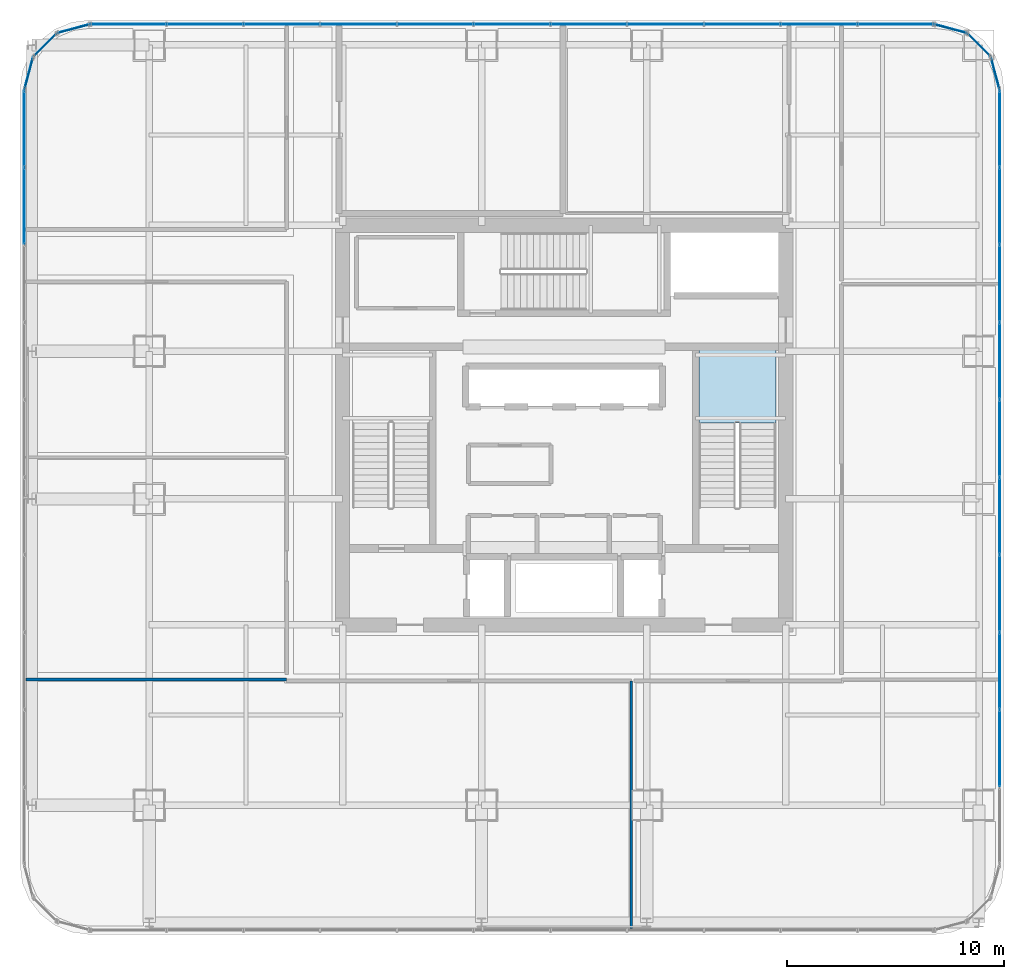
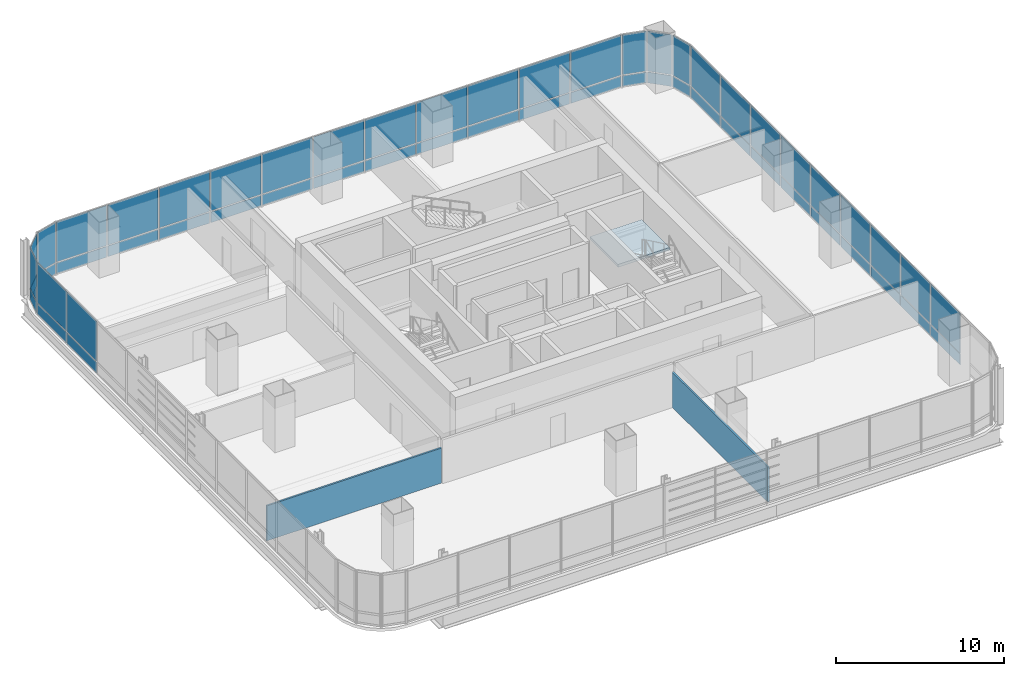
# One storey, part 28 of 36: 56 plates, 2 walls, 1 slab, 10 elements without a shape of their own.
"""IFC4 building model written with IfcOpenShell, lengths in metres."""

from ifc_helpers import new_model, si_unit, direction, frame, frame_2d, origin, origin_2d, place, context, subcontext, project, spatial, polyline, rectangle, outline, extrude, material, layer, layer_set, type_object, element, aggregate, save


model = new_model("IFC4")

# Units and contexts
model_context = context("Model", 3, precision=1e-05, world=origin(), true_north=direction((0.0, 1.0)))
body_context = subcontext(model_context, "Body", "Model", "MODEL_VIEW")
ifc_project = project(units=[si_unit("LENGTHUNIT", "METRE"), si_unit("AREAUNIT", "SQUARE_METRE"), si_unit("VOLUMEUNIT", "CUBIC_METRE"), si_unit("PLANEANGLEUNIT", "RADIAN"), si_unit("MASSUNIT", "GRAM", prefix="KILO")], contexts=[model_context])

# Site, building, storey
site_placement = place(None, origin())
site = spatial("IfcSite", under=ifc_project, at=site_placement, CompositionType="ELEMENT")
building_placement = place(site_placement, origin())
building = spatial("IfcBuilding", under=site, at=building_placement, Name="Punatoya Terracotta Tower", CompositionType="ELEMENT")
storey_placement = place(building_placement, frame((0.0, 0.0, 176.25)))
storey = spatial("IfcBuildingStorey", under=building, at=storey_placement, Name="L41", CompositionType="ELEMENT", Elevation=176.25)

# Curtain wall, plates
ifc_material_1 = material(Name="Aluminium 6063-T6 + Double Low-E Glass", Category="aluminium")
curtain_wall_type = type_object("IfcCurtainWallType", Name="CW-M2", PredefinedType="NOTDEFINED", material=ifc_material_1)
curtain_wall_1_placement = place(storey_placement, origin())
curtain_wall_1 = element("IfcCurtainWall", 1, at=curtain_wall_1_placement, inside=storey, type_object=curtain_wall_type, Name="L41 Curtain Wall CW-L41-E05-1", PredefinedType="NOTDEFINED")
ifc_material_2 = material(Name="Double Low-E Acoustic Vision Glass", Category="glass")
ifc_layer_1 = layer(ifc_material_2, 0.031982421875)
ifc_layer_set_1 = layer_set([ifc_layer_1], Name="Double Low-E Acoustic Vision Glass")
plate_type_1 = type_object("IfcPlateType", Name="PLT-GLZ-32", PredefinedType="CURTAIN_PANEL", material=ifc_layer_set_1)
plate_1_placement = place(storey_placement, frame((20.050048828125, -14.8857421875, 0.89013671875), z_axis=(0.0, 0.0, 1.0), x_axis=(0.0, 1.0, 0.0)))
plate_1 = element("IfcPlate", 2, at=plate_1_placement, type_object=plate_type_1, Name="CW-L41-E05-1 Vision Glass Panel 2", PredefinedType="CURTAIN_PANEL", context=body_context, shape_type="SweptSolid", body=[
    extrude(rectangle(XDim=3.482421875, YDim=0.031982421875, at=origin_2d()), origin(), (0.0, 0.0, 1.0), 2.89990234375),
])
plate_2_placement = place(storey_placement, frame((20.050048828125, -11.318359375, 0.89013671875), z_axis=(0.0, 0.0, 1.0), x_axis=(0.0, 1.0, 0.0)))
plate_2 = element("IfcPlate", 3, at=plate_2_placement, type_object=plate_type_1, Name="CW-L41-E05-1 Vision Glass Panel 3", PredefinedType="CURTAIN_PANEL", context=body_context, shape_type="SweptSolid", body=[
    extrude(rectangle(XDim=3.482421875, YDim=0.031982421875, at=origin_2d()), origin(), (0.0, 0.0, 1.0), 2.89990234375),
])
plate_3_placement = place(storey_placement, frame((20.050048828125, -7.751220703125, 0.89013671875), z_axis=(0.0, 0.0, 1.0), x_axis=(0.0, 1.0, 0.0)))
plate_3 = element("IfcPlate", 4, at=plate_3_placement, type_object=plate_type_1, Name="CW-L41-E05-1 Vision Glass Panel 4", PredefinedType="CURTAIN_PANEL", context=body_context, shape_type="SweptSolid", body=[
    extrude(rectangle(XDim=3.482421875, YDim=0.031982421875, at=origin_2d()), origin(), (0.0, 0.0, 1.0), 2.89990234375),
])
plate_4_placement = place(storey_placement, frame((20.050048828125, -4.18359375, 0.89013671875), z_axis=(0.0, 0.0, 1.0), x_axis=(0.0, 1.0, 0.0)))
plate_4 = element("IfcPlate", 5, at=plate_4_placement, type_object=plate_type_1, Name="CW-L41-E05-1 Vision Glass Panel 5", PredefinedType="CURTAIN_PANEL", context=body_context, shape_type="SweptSolid", body=[
    extrude(rectangle(XDim=3.482421875, YDim=0.031982421875, at=origin_2d()), origin(), (0.0, 0.0, 1.0), 2.89990234375),
])
plate_5_placement = place(storey_placement, frame((20.050048828125, -0.6162109375, 0.89013671875), z_axis=(0.0, 0.0, 1.0), x_axis=(0.0, 1.0, 0.0)))
plate_5 = element("IfcPlate", 6, at=plate_5_placement, type_object=plate_type_1, Name="CW-L41-E05-1 Vision Glass Panel 6", PredefinedType="CURTAIN_PANEL", context=body_context, shape_type="SweptSolid", body=[
    extrude(rectangle(XDim=3.482421875, YDim=0.031982421875, at=origin_2d()), origin(), (0.0, 0.0, 1.0), 2.89990234375),
])
plate_6_placement = place(storey_placement, frame((20.050048828125, 2.951171875, 0.89013671875), z_axis=(0.0, 0.0, 1.0), x_axis=(0.0, 1.0, 0.0)))
plate_6 = element("IfcPlate", 7, at=plate_6_placement, type_object=plate_type_1, Name="CW-L41-E05-1 Vision Glass Panel 7", PredefinedType="CURTAIN_PANEL", context=body_context, shape_type="SweptSolid", body=[
    extrude(rectangle(XDim=3.482421875, YDim=0.031982421875, at=origin_2d()), origin(), (0.0, 0.0, 1.0), 2.89990234375),
])
plate_7_placement = place(storey_placement, frame((20.050048828125, 6.518310546875, 0.89013671875), z_axis=(0.0, 0.0, 1.0), x_axis=(0.0, 1.0, 0.0)))
plate_7 = element("IfcPlate", 8, at=plate_7_placement, type_object=plate_type_1, Name="CW-L41-E05-1 Vision Glass Panel 8", PredefinedType="CURTAIN_PANEL", context=body_context, shape_type="SweptSolid", body=[
    extrude(rectangle(XDim=3.482421875, YDim=0.031982421875, at=origin_2d()), origin(), (0.0, 0.0, 1.0), 2.89990234375),
])
plate_8_placement = place(storey_placement, frame((20.050048828125, 10.085693359375, 0.89013671875), z_axis=(0.0, 0.0, 1.0), x_axis=(0.0, 1.0, 0.0)))
plate_8 = element("IfcPlate", 9, at=plate_8_placement, type_object=plate_type_1, Name="CW-L41-E05-1 Vision Glass Panel 9", PredefinedType="CURTAIN_PANEL", context=body_context, shape_type="SweptSolid", body=[
    extrude(rectangle(XDim=3.482421875, YDim=0.031982421875, at=origin_2d()), origin(), (0.0, 0.0, 1.0), 2.89990234375),
])
plate_9_placement = place(storey_placement, frame((20.050048828125, 13.6533203125, 0.89013671875), z_axis=(0.0, 0.0, 1.0), x_axis=(0.0, 1.0, 0.0)))
plate_9 = element("IfcPlate", 10, at=plate_9_placement, type_object=plate_type_1, Name="CW-L41-E05-1 Vision Glass Panel 10", PredefinedType="CURTAIN_PANEL", context=body_context, shape_type="SweptSolid", body=[
    extrude(rectangle(XDim=3.482421875, YDim=0.031982421875, at=origin_2d()), origin(), (0.0, 0.0, 1.0), 2.89990234375),
])

# Curtain wall, plate
curtain_wall_2_placement = place(storey_placement, origin())
curtain_wall_2 = element("IfcCurtainWall", 11, at=curtain_wall_2_placement, inside=storey, type_object=curtain_wall_type, Name="L41 Curtain Wall CW-L41-CRN06", PredefinedType="NOTDEFINED")
plate_10_placement = place(storey_placement, frame((19.848388671875, 16.193115234375, 0.89013671875), z_axis=(0.0, 0.0, 1.0), x_axis=(-0.257741620719, 0.966213877436, 0.0)))
plate_10 = element("IfcPlate", 12, at=plate_10_placement, type_object=plate_type_1, Name="CW-L41-CRN06 Vision Glass Panel 1", PredefinedType="CURTAIN_PANEL", context=body_context, shape_type="SweptSolid", body=[
    extrude(rectangle(XDim=1.47998046875, YDim=0.031982421875, at=origin_2d()), origin(), (0.0, 0.0, 1.0), 2.89990234375),
])

curtain_wall_3_placement = place(storey_placement, origin())
curtain_wall_3 = element("IfcCurtainWall", 13, at=curtain_wall_3_placement, inside=storey, type_object=curtain_wall_type, Name="L41 Curtain Wall CW-L41-CRN07", PredefinedType="NOTDEFINED")
plate_11_placement = place(storey_placement, frame((19.097900390625, 17.497802734375, 0.89013671875), z_axis=(0.0, 0.0, 1.0), x_axis=(-0.707106781187, 0.707106781187, 0.0)))
plate_11 = element("IfcPlate", 14, at=plate_11_placement, type_object=plate_type_1, Name="CW-L41-CRN07 Vision Glass Panel 1", PredefinedType="CURTAIN_PANEL", context=body_context, shape_type="SweptSolid", body=[
    extrude(rectangle(XDim=1.467041015625, YDim=0.031982421875, at=origin_2d()), origin(), (0.0, 0.0, 1.0), 2.89990234375),
])

curtain_wall_4_placement = place(storey_placement, origin())
curtain_wall_4 = element("IfcCurtainWall", 15, at=curtain_wall_4_placement, inside=storey, type_object=curtain_wall_type, Name="L41 Curtain Wall CW-L41-CRN08", PredefinedType="NOTDEFINED")
plate_12_placement = place(storey_placement, frame((17.79296875, 18.248291015625, 0.89013671875), z_axis=(0.0, 0.0, 1.0), x_axis=(-0.966213877436, 0.257741620719, 0.0)))
plate_12 = element("IfcPlate", 16, at=plate_12_placement, type_object=plate_type_1, Name="CW-L41-CRN08 Vision Glass Panel 1", PredefinedType="CURTAIN_PANEL", context=body_context, shape_type="SweptSolid", body=[
    extrude(rectangle(XDim=1.47998046875, YDim=0.031982421875, at=origin_2d()), origin(), (0.0, 0.0, 1.0), 2.89990234375),
])

# Curtain wall, plates
curtain_wall_5_placement = place(storey_placement, origin())
curtain_wall_5 = element("IfcCurtainWall", 17, at=curtain_wall_5_placement, inside=storey, type_object=curtain_wall_type, Name="L41 Curtain Wall CW-L41-N09-1", PredefinedType="NOTDEFINED")
plate_13_placement = place(storey_placement, frame((15.27001953125, 18.449951171875, 0.89013671875), z_axis=(0.0, 0.0, 1.0), x_axis=(-1.0, 0.0, 0.0)))
plate_13 = element("IfcPlate", 18, at=plate_13_placement, type_object=plate_type_1, Name="CW-L41-N09-1 Vision Glass Panel 1", PredefinedType="CURTAIN_PANEL", context=body_context, shape_type="SweptSolid", body=[
    extrude(rectangle(XDim=3.448974609375, YDim=0.031982421875, at=origin_2d()), origin(), (0.0, 0.0, 1.0), 2.89990234375),
])
plate_14_placement = place(storey_placement, frame((11.73583984375, 18.449951171875, 0.89013671875), z_axis=(0.0, 0.0, 1.0), x_axis=(-1.0, 0.0, 0.0)))
plate_14 = element("IfcPlate", 19, at=plate_14_placement, type_object=plate_type_1, Name="CW-L41-N09-1 Vision Glass Panel 2", PredefinedType="CURTAIN_PANEL", context=body_context, shape_type="SweptSolid", body=[
    extrude(rectangle(XDim=3.448974609375, YDim=0.031982421875, at=origin_2d()), origin(), (0.0, 0.0, 1.0), 2.89990234375),
])
plate_15_placement = place(storey_placement, frame((8.201904296875, 18.449951171875, 0.89013671875), z_axis=(0.0, 0.0, 1.0), x_axis=(-1.0, 0.0, 0.0)))
plate_15 = element("IfcPlate", 20, at=plate_15_placement, type_object=plate_type_1, Name="CW-L41-N09-1 Vision Glass Panel 3", PredefinedType="CURTAIN_PANEL", context=body_context, shape_type="SweptSolid", body=[
    extrude(rectangle(XDim=3.448974609375, YDim=0.031982421875, at=origin_2d()), origin(), (0.0, 0.0, 1.0), 2.89990234375),
])
plate_16_placement = place(storey_placement, frame((4.66796875, 18.449951171875, 0.89013671875), z_axis=(0.0, 0.0, 1.0), x_axis=(-1.0, 0.0, 0.0)))
plate_16 = element("IfcPlate", 21, at=plate_16_placement, type_object=plate_type_1, Name="CW-L41-N09-1 Vision Glass Panel 4", PredefinedType="CURTAIN_PANEL", context=body_context, shape_type="SweptSolid", body=[
    extrude(rectangle(XDim=3.448974609375, YDim=0.031982421875, at=origin_2d()), origin(), (0.0, 0.0, 1.0), 2.89990234375),
])
plate_17_placement = place(storey_placement, frame((1.134033203125, 18.449951171875, 0.89013671875), z_axis=(0.0, 0.0, 1.0), x_axis=(-1.0, 0.0, 0.0)))
plate_17 = element("IfcPlate", 22, at=plate_17_placement, type_object=plate_type_1, Name="CW-L41-N09-1 Vision Glass Panel 5", PredefinedType="CURTAIN_PANEL", context=body_context, shape_type="SweptSolid", body=[
    extrude(rectangle(XDim=3.448974609375, YDim=0.031982421875, at=origin_2d()), origin(), (0.0, 0.0, 1.0), 2.89990234375),
])
plate_18_placement = place(storey_placement, frame((-2.39990234375, 18.449951171875, 0.89013671875), z_axis=(0.0, 0.0, 1.0), x_axis=(-1.0, 0.0, 0.0)))
plate_18 = element("IfcPlate", 23, at=plate_18_placement, type_object=plate_type_1, Name="CW-L41-N09-1 Vision Glass Panel 6", PredefinedType="CURTAIN_PANEL", context=body_context, shape_type="SweptSolid", body=[
    extrude(rectangle(XDim=3.448974609375, YDim=0.031982421875, at=origin_2d()), origin(), (0.0, 0.0, 1.0), 2.89990234375),
])
plate_19_placement = place(storey_placement, frame((-5.93408203125, 18.449951171875, 0.89013671875), z_axis=(0.0, 0.0, 1.0), x_axis=(-1.0, 0.0, 0.0)))
plate_19 = element("IfcPlate", 24, at=plate_19_placement, type_object=plate_type_1, Name="CW-L41-N09-1 Vision Glass Panel 7", PredefinedType="CURTAIN_PANEL", context=body_context, shape_type="SweptSolid", body=[
    extrude(rectangle(XDim=3.448974609375, YDim=0.031982421875, at=origin_2d()), origin(), (0.0, 0.0, 1.0), 2.89990234375),
])
plate_20_placement = place(storey_placement, frame((-9.468017578125, 18.449951171875, 0.89013671875), z_axis=(0.0, 0.0, 1.0), x_axis=(-1.0, 0.0, 0.0)))
plate_20 = element("IfcPlate", 25, at=plate_20_placement, type_object=plate_type_1, Name="CW-L41-N09-1 Vision Glass Panel 8", PredefinedType="CURTAIN_PANEL", context=body_context, shape_type="SweptSolid", body=[
    extrude(rectangle(XDim=3.448974609375, YDim=0.031982421875, at=origin_2d()), origin(), (0.0, 0.0, 1.0), 2.89990234375),
])
plate_21_placement = place(storey_placement, frame((-13.001953125, 18.449951171875, 0.89013671875), z_axis=(0.0, 0.0, 1.0), x_axis=(-1.0, 0.0, 0.0)))
plate_21 = element("IfcPlate", 26, at=plate_21_placement, type_object=plate_type_1, Name="CW-L41-N09-1 Vision Glass Panel 9", PredefinedType="CURTAIN_PANEL", context=body_context, shape_type="SweptSolid", body=[
    extrude(rectangle(XDim=3.448974609375, YDim=0.031982421875, at=origin_2d()), origin(), (0.0, 0.0, 1.0), 2.89990234375),
])
plate_22_placement = place(storey_placement, frame((-16.535888671875, 18.449951171875, 0.89013671875), z_axis=(0.0, 0.0, 1.0), x_axis=(-1.0, 0.0, 0.0)))
plate_22 = element("IfcPlate", 27, at=plate_22_placement, type_object=plate_type_1, Name="CW-L41-N09-1 Vision Glass Panel 10", PredefinedType="CURTAIN_PANEL", context=body_context, shape_type="SweptSolid", body=[
    extrude(rectangle(XDim=3.448974609375, YDim=0.031982421875, at=origin_2d()), origin(), (0.0, 0.0, 1.0), 2.89990234375),
])
plate_23_placement = place(storey_placement, frame((-20.06982421875, 18.449951171875, 0.89013671875), z_axis=(0.0, 0.0, 1.0), x_axis=(-1.0, 0.0, 0.0)))
plate_23 = element("IfcPlate", 28, at=plate_23_placement, type_object=plate_type_1, Name="CW-L41-N09-1 Vision Glass Panel 11", PredefinedType="CURTAIN_PANEL", context=body_context, shape_type="SweptSolid", body=[
    extrude(rectangle(XDim=3.448974609375, YDim=0.031982421875, at=origin_2d()), origin(), (0.0, 0.0, 1.0), 2.89990234375),
])

# Curtain wall, plate
curtain_wall_6_placement = place(storey_placement, origin())
curtain_wall_6 = element("IfcCurtainWall", 29, at=curtain_wall_6_placement, inside=storey, type_object=curtain_wall_type, Name="L41 Curtain Wall CW-L41-CRN10", PredefinedType="NOTDEFINED")
plate_24_placement = place(storey_placement, frame((-22.593017578125, 18.248291015625, 0.89013671875), z_axis=(0.0, 0.0, 1.0), x_axis=(-0.966213877436, -0.257741620719, 0.0)))
plate_24 = element("IfcPlate", 30, at=plate_24_placement, type_object=plate_type_1, Name="CW-L41-CRN10 Vision Glass Panel 1", PredefinedType="CURTAIN_PANEL", context=body_context, shape_type="SweptSolid", body=[
    extrude(rectangle(XDim=1.47998046875, YDim=0.031982421875, at=origin_2d()), origin(), (0.0, 0.0, 1.0), 2.89990234375),
])

curtain_wall_7_placement = place(storey_placement, origin())
curtain_wall_7 = element("IfcCurtainWall", 31, at=curtain_wall_7_placement, inside=storey, type_object=curtain_wall_type, Name="L41 Curtain Wall CW-L41-CRN11", PredefinedType="NOTDEFINED")
plate_25_placement = place(storey_placement, frame((-23.89794921875, 17.497802734375, 0.89013671875), z_axis=(0.0, 0.0, 1.0), x_axis=(-0.707106781187, -0.707106781187, 0.0)))
plate_25 = element("IfcPlate", 32, at=plate_25_placement, type_object=plate_type_1, Name="CW-L41-CRN11 Vision Glass Panel 1", PredefinedType="CURTAIN_PANEL", context=body_context, shape_type="SweptSolid", body=[
    extrude(rectangle(XDim=1.467041015625, YDim=0.031982421875, at=origin_2d()), origin(), (0.0, 0.0, 1.0), 2.89990234375),
])

curtain_wall_8_placement = place(storey_placement, origin())
curtain_wall_8 = element("IfcCurtainWall", 33, at=curtain_wall_8_placement, inside=storey, type_object=curtain_wall_type, Name="L41 Curtain Wall CW-L41-CRN12", PredefinedType="NOTDEFINED")
plate_26_placement = place(storey_placement, frame((-24.648193359375, 16.193115234375, 0.89013671875), z_axis=(0.0, 0.0, 1.0), x_axis=(-0.257741620719, -0.966213877436, 0.0)))
plate_26 = element("IfcPlate", 34, at=plate_26_placement, type_object=plate_type_1, Name="CW-L41-CRN12 Vision Glass Panel 1", PredefinedType="CURTAIN_PANEL", context=body_context, shape_type="SweptSolid", body=[
    extrude(rectangle(XDim=1.47998046875, YDim=0.031982421875, at=origin_2d()), origin(), (0.0, 0.0, 1.0), 2.89990234375),
])

# Curtain wall, plates
curtain_wall_9_placement = place(storey_placement, origin())
curtain_wall_9 = element("IfcCurtainWall", 35, at=curtain_wall_9_placement, inside=storey, type_object=curtain_wall_type, Name="L41 Curtain Wall CW-L41-W13-1", PredefinedType="NOTDEFINED")
plate_27_placement = place(storey_placement, frame((-24.85009765625, 13.6533203125, 0.89013671875), z_axis=(0.0, 0.0, 1.0), x_axis=(0.0, -1.0, 0.0)))
plate_27 = element("IfcPlate", 36, at=plate_27_placement, type_object=plate_type_1, Name="CW-L41-W13-1 Vision Glass Panel 1", PredefinedType="CURTAIN_PANEL", context=body_context, shape_type="SweptSolid", body=[
    extrude(rectangle(XDim=3.482421875, YDim=0.031982421875, at=origin_2d()), origin(), (0.0, 0.0, 1.0), 2.89990234375),
])
plate_28_placement = place(storey_placement, frame((-24.85009765625, 10.085693359375, 0.89013671875), z_axis=(0.0, 0.0, 1.0), x_axis=(0.0, -1.0, 0.0)))
plate_28 = element("IfcPlate", 37, at=plate_28_placement, type_object=plate_type_1, Name="CW-L41-W13-1 Vision Glass Panel 2", PredefinedType="CURTAIN_PANEL", context=body_context, shape_type="SweptSolid", body=[
    extrude(rectangle(XDim=3.482421875, YDim=0.031982421875, at=origin_2d()), origin(), (0.0, 0.0, 1.0), 2.89990234375),
])

# Plate
ifc_material_3 = material(Name="Insulated Terracotta-Backed Spandrel Panel", Category="masonry")
ifc_layer_2 = layer(ifc_material_3, 0.044921875)
ifc_layer_set_2 = layer_set([ifc_layer_2], Name="Insulated Terracotta-Backed Spandrel Panel")
plate_type_2 = type_object("IfcPlateType", Name="PLT-SPN-45", PredefinedType="CURTAIN_PANEL", material=ifc_layer_set_2)
plate_29_placement = place(storey_placement, frame((20.050048828125, -14.8857421875, 0.0400390625), z_axis=(0.0, 0.0, 1.0), x_axis=(0.0, 1.0, 0.0)))
plate_29 = element("IfcPlate", 38, at=plate_29_placement, type_object=plate_type_2, Name="CW-L41-E05-1 Terracotta Spandrel Panel 2", PredefinedType="CURTAIN_PANEL", context=body_context, shape_type="SweptSolid", body=[
    extrude(rectangle(XDim=3.482421875, YDim=0.044921875, at=origin_2d()), origin(), (0.0, 0.0, 1.0), 0.77490234375),
])

plate_30_placement = place(storey_placement, frame((20.050048828125, -11.318359375, 0.0400390625), z_axis=(0.0, 0.0, 1.0), x_axis=(0.0, 1.0, 0.0)))
plate_30 = element("IfcPlate", 39, at=plate_30_placement, type_object=plate_type_2, Name="CW-L41-E05-1 Terracotta Spandrel Panel 3", PredefinedType="CURTAIN_PANEL", context=body_context, shape_type="SweptSolid", body=[
    extrude(rectangle(XDim=3.482421875, YDim=0.044921875, at=origin_2d()), origin(), (0.0, 0.0, 1.0), 0.77490234375),
])

plate_31_placement = place(storey_placement, frame((20.050048828125, -7.751220703125, 0.0400390625), z_axis=(0.0, 0.0, 1.0), x_axis=(0.0, 1.0, 0.0)))
plate_31 = element("IfcPlate", 40, at=plate_31_placement, type_object=plate_type_2, Name="CW-L41-E05-1 Terracotta Spandrel Panel 4", PredefinedType="CURTAIN_PANEL", context=body_context, shape_type="SweptSolid", body=[
    extrude(rectangle(XDim=3.482421875, YDim=0.044921875, at=origin_2d()), origin(), (0.0, 0.0, 1.0), 0.77490234375),
])

plate_32_placement = place(storey_placement, frame((20.050048828125, -4.18359375, 0.0400390625), z_axis=(0.0, 0.0, 1.0), x_axis=(0.0, 1.0, 0.0)))
plate_32 = element("IfcPlate", 41, at=plate_32_placement, type_object=plate_type_2, Name="CW-L41-E05-1 Terracotta Spandrel Panel 5", PredefinedType="CURTAIN_PANEL", context=body_context, shape_type="SweptSolid", body=[
    extrude(rectangle(XDim=3.482421875, YDim=0.044921875, at=origin_2d()), origin(), (0.0, 0.0, 1.0), 0.77490234375),
])

plate_33_placement = place(storey_placement, frame((20.050048828125, -0.6162109375, 0.0400390625), z_axis=(0.0, 0.0, 1.0), x_axis=(0.0, 1.0, 0.0)))
plate_33 = element("IfcPlate", 42, at=plate_33_placement, type_object=plate_type_2, Name="CW-L41-E05-1 Terracotta Spandrel Panel 6", PredefinedType="CURTAIN_PANEL", context=body_context, shape_type="SweptSolid", body=[
    extrude(rectangle(XDim=3.482421875, YDim=0.044921875, at=origin_2d()), origin(), (0.0, 0.0, 1.0), 0.77490234375),
])

plate_34_placement = place(storey_placement, frame((20.050048828125, 2.951171875, 0.0400390625), z_axis=(0.0, 0.0, 1.0), x_axis=(0.0, 1.0, 0.0)))
plate_34 = element("IfcPlate", 43, at=plate_34_placement, type_object=plate_type_2, Name="CW-L41-E05-1 Terracotta Spandrel Panel 7", PredefinedType="CURTAIN_PANEL", context=body_context, shape_type="SweptSolid", body=[
    extrude(rectangle(XDim=3.482421875, YDim=0.044921875, at=origin_2d()), origin(), (0.0, 0.0, 1.0), 0.77490234375),
])

plate_35_placement = place(storey_placement, frame((20.050048828125, 6.518310546875, 0.0400390625), z_axis=(0.0, 0.0, 1.0), x_axis=(0.0, 1.0, 0.0)))
plate_35 = element("IfcPlate", 44, at=plate_35_placement, type_object=plate_type_2, Name="CW-L41-E05-1 Terracotta Spandrel Panel 8", PredefinedType="CURTAIN_PANEL", context=body_context, shape_type="SweptSolid", body=[
    extrude(rectangle(XDim=3.482421875, YDim=0.044921875, at=origin_2d()), origin(), (0.0, 0.0, 1.0), 0.77490234375),
])

plate_36_placement = place(storey_placement, frame((20.050048828125, 10.085693359375, 0.0400390625), z_axis=(0.0, 0.0, 1.0), x_axis=(0.0, 1.0, 0.0)))
plate_36 = element("IfcPlate", 45, at=plate_36_placement, type_object=plate_type_2, Name="CW-L41-E05-1 Terracotta Spandrel Panel 9", PredefinedType="CURTAIN_PANEL", context=body_context, shape_type="SweptSolid", body=[
    extrude(rectangle(XDim=3.482421875, YDim=0.044921875, at=origin_2d()), origin(), (0.0, 0.0, 1.0), 0.77490234375),
])

plate_37_placement = place(storey_placement, frame((20.050048828125, 13.6533203125, 0.0400390625), z_axis=(0.0, 0.0, 1.0), x_axis=(0.0, 1.0, 0.0)))
plate_37 = element("IfcPlate", 46, at=plate_37_placement, type_object=plate_type_2, Name="CW-L41-E05-1 Terracotta Spandrel Panel 10", PredefinedType="CURTAIN_PANEL", context=body_context, shape_type="SweptSolid", body=[
    extrude(rectangle(XDim=3.482421875, YDim=0.044921875, at=origin_2d()), origin(), (0.0, 0.0, 1.0), 0.77490234375),
])

aggregate(curtain_wall_1, [plate_29, plate_1, plate_30, plate_2, plate_31, plate_3, plate_32, plate_4, plate_33, plate_5, plate_34, plate_6, plate_35, plate_7, plate_36, plate_8, plate_37, plate_9])

plate_38_placement = place(storey_placement, frame((19.848388671875, 16.193115234375, 0.0400390625), z_axis=(0.0, 0.0, 1.0), x_axis=(-0.257741620719, 0.966213877436, 0.0)))
plate_38 = element("IfcPlate", 47, at=plate_38_placement, type_object=plate_type_2, Name="CW-L41-CRN06 Terracotta Spandrel Panel 1", PredefinedType="CURTAIN_PANEL", context=body_context, shape_type="SweptSolid", body=[
    extrude(rectangle(XDim=1.47998046875, YDim=0.044921875, at=origin_2d()), origin(), (0.0, 0.0, 1.0), 0.77490234375),
])

aggregate(curtain_wall_2, [plate_38, plate_10])

plate_39_placement = place(storey_placement, frame((19.097900390625, 17.497802734375, 0.0400390625), z_axis=(0.0, 0.0, 1.0), x_axis=(-0.707106781187, 0.707106781187, 0.0)))
plate_39 = element("IfcPlate", 48, at=plate_39_placement, type_object=plate_type_2, Name="CW-L41-CRN07 Terracotta Spandrel Panel 1", PredefinedType="CURTAIN_PANEL", context=body_context, shape_type="SweptSolid", body=[
    extrude(rectangle(XDim=1.467041015625, YDim=0.044921875, at=origin_2d()), origin(), (0.0, 0.0, 1.0), 0.77490234375),
])

aggregate(curtain_wall_3, [plate_39, plate_11])

plate_40_placement = place(storey_placement, frame((17.79296875, 18.248291015625, 0.0400390625), z_axis=(0.0, 0.0, 1.0), x_axis=(-0.966213877436, 0.257741620719, 0.0)))
plate_40 = element("IfcPlate", 49, at=plate_40_placement, type_object=plate_type_2, Name="CW-L41-CRN08 Terracotta Spandrel Panel 1", PredefinedType="CURTAIN_PANEL", context=body_context, shape_type="SweptSolid", body=[
    extrude(rectangle(XDim=1.47998046875, YDim=0.044921875, at=origin_2d()), origin(), (0.0, 0.0, 1.0), 0.77490234375),
])

aggregate(curtain_wall_4, [plate_40, plate_12])

plate_41_placement = place(storey_placement, frame((15.27001953125, 18.449951171875, 0.0400390625), z_axis=(0.0, 0.0, 1.0), x_axis=(-1.0, 0.0, 0.0)))
plate_41 = element("IfcPlate", 50, at=plate_41_placement, type_object=plate_type_2, Name="CW-L41-N09-1 Terracotta Spandrel Panel 1", PredefinedType="CURTAIN_PANEL", context=body_context, shape_type="SweptSolid", body=[
    extrude(rectangle(XDim=3.448974609375, YDim=0.044921875, at=origin_2d()), origin(), (0.0, 0.0, 1.0), 0.77490234375),
])

plate_42_placement = place(storey_placement, frame((11.73583984375, 18.449951171875, 0.0400390625), z_axis=(0.0, 0.0, 1.0), x_axis=(-1.0, 0.0, 0.0)))
plate_42 = element("IfcPlate", 51, at=plate_42_placement, type_object=plate_type_2, Name="CW-L41-N09-1 Terracotta Spandrel Panel 2", PredefinedType="CURTAIN_PANEL", context=body_context, shape_type="SweptSolid", body=[
    extrude(rectangle(XDim=3.448974609375, YDim=0.044921875, at=origin_2d()), origin(), (0.0, 0.0, 1.0), 0.77490234375),
])

plate_43_placement = place(storey_placement, frame((8.201904296875, 18.449951171875, 0.0400390625), z_axis=(0.0, 0.0, 1.0), x_axis=(-1.0, 0.0, 0.0)))
plate_43 = element("IfcPlate", 52, at=plate_43_placement, type_object=plate_type_2, Name="CW-L41-N09-1 Terracotta Spandrel Panel 3", PredefinedType="CURTAIN_PANEL", context=body_context, shape_type="SweptSolid", body=[
    extrude(rectangle(XDim=3.448974609375, YDim=0.044921875, at=origin_2d()), origin(), (0.0, 0.0, 1.0), 0.77490234375),
])

plate_44_placement = place(storey_placement, frame((4.66796875, 18.449951171875, 0.0400390625), z_axis=(0.0, 0.0, 1.0), x_axis=(-1.0, 0.0, 0.0)))
plate_44 = element("IfcPlate", 53, at=plate_44_placement, type_object=plate_type_2, Name="CW-L41-N09-1 Terracotta Spandrel Panel 4", PredefinedType="CURTAIN_PANEL", context=body_context, shape_type="SweptSolid", body=[
    extrude(rectangle(XDim=3.448974609375, YDim=0.044921875, at=origin_2d()), origin(), (0.0, 0.0, 1.0), 0.77490234375),
])

plate_45_placement = place(storey_placement, frame((1.134033203125, 18.449951171875, 0.0400390625), z_axis=(0.0, 0.0, 1.0), x_axis=(-1.0, 0.0, 0.0)))
plate_45 = element("IfcPlate", 54, at=plate_45_placement, type_object=plate_type_2, Name="CW-L41-N09-1 Terracotta Spandrel Panel 5", PredefinedType="CURTAIN_PANEL", context=body_context, shape_type="SweptSolid", body=[
    extrude(rectangle(XDim=3.448974609375, YDim=0.044921875, at=origin_2d()), origin(), (0.0, 0.0, 1.0), 0.77490234375),
])

plate_46_placement = place(storey_placement, frame((-2.39990234375, 18.449951171875, 0.0400390625), z_axis=(0.0, 0.0, 1.0), x_axis=(-1.0, 0.0, 0.0)))
plate_46 = element("IfcPlate", 55, at=plate_46_placement, type_object=plate_type_2, Name="CW-L41-N09-1 Terracotta Spandrel Panel 6", PredefinedType="CURTAIN_PANEL", context=body_context, shape_type="SweptSolid", body=[
    extrude(rectangle(XDim=3.448974609375, YDim=0.044921875, at=origin_2d()), origin(), (0.0, 0.0, 1.0), 0.77490234375),
])

plate_47_placement = place(storey_placement, frame((-5.93408203125, 18.449951171875, 0.0400390625), z_axis=(0.0, 0.0, 1.0), x_axis=(-1.0, 0.0, 0.0)))
plate_47 = element("IfcPlate", 56, at=plate_47_placement, type_object=plate_type_2, Name="CW-L41-N09-1 Terracotta Spandrel Panel 7", PredefinedType="CURTAIN_PANEL", context=body_context, shape_type="SweptSolid", body=[
    extrude(rectangle(XDim=3.448974609375, YDim=0.044921875, at=origin_2d()), origin(), (0.0, 0.0, 1.0), 0.77490234375),
])

plate_48_placement = place(storey_placement, frame((-9.468017578125, 18.449951171875, 0.0400390625), z_axis=(0.0, 0.0, 1.0), x_axis=(-1.0, 0.0, 0.0)))
plate_48 = element("IfcPlate", 57, at=plate_48_placement, type_object=plate_type_2, Name="CW-L41-N09-1 Terracotta Spandrel Panel 8", PredefinedType="CURTAIN_PANEL", context=body_context, shape_type="SweptSolid", body=[
    extrude(rectangle(XDim=3.448974609375, YDim=0.044921875, at=origin_2d()), origin(), (0.0, 0.0, 1.0), 0.77490234375),
])

plate_49_placement = place(storey_placement, frame((-13.001953125, 18.449951171875, 0.0400390625), z_axis=(0.0, 0.0, 1.0), x_axis=(-1.0, 0.0, 0.0)))
plate_49 = element("IfcPlate", 58, at=plate_49_placement, type_object=plate_type_2, Name="CW-L41-N09-1 Terracotta Spandrel Panel 9", PredefinedType="CURTAIN_PANEL", context=body_context, shape_type="SweptSolid", body=[
    extrude(rectangle(XDim=3.448974609375, YDim=0.044921875, at=origin_2d()), origin(), (0.0, 0.0, 1.0), 0.77490234375),
])

plate_50_placement = place(storey_placement, frame((-16.535888671875, 18.449951171875, 0.0400390625), z_axis=(0.0, 0.0, 1.0), x_axis=(-1.0, 0.0, 0.0)))
plate_50 = element("IfcPlate", 59, at=plate_50_placement, type_object=plate_type_2, Name="CW-L41-N09-1 Terracotta Spandrel Panel 10", PredefinedType="CURTAIN_PANEL", context=body_context, shape_type="SweptSolid", body=[
    extrude(rectangle(XDim=3.448974609375, YDim=0.044921875, at=origin_2d()), origin(), (0.0, 0.0, 1.0), 0.77490234375),
])

plate_51_placement = place(storey_placement, frame((-20.06982421875, 18.449951171875, 0.0400390625), z_axis=(0.0, 0.0, 1.0), x_axis=(-1.0, 0.0, 0.0)))
plate_51 = element("IfcPlate", 60, at=plate_51_placement, type_object=plate_type_2, Name="CW-L41-N09-1 Terracotta Spandrel Panel 11", PredefinedType="CURTAIN_PANEL", context=body_context, shape_type="SweptSolid", body=[
    extrude(rectangle(XDim=3.448974609375, YDim=0.044921875, at=origin_2d()), origin(), (0.0, 0.0, 1.0), 0.77490234375),
])

aggregate(curtain_wall_5, [plate_41, plate_13, plate_42, plate_14, plate_43, plate_15, plate_44, plate_16, plate_45, plate_17, plate_46, plate_18, plate_47, plate_19, plate_48, plate_20, plate_49, plate_21, plate_50, plate_22, plate_51, plate_23])

plate_52_placement = place(storey_placement, frame((-22.593017578125, 18.248291015625, 0.0400390625), z_axis=(0.0, 0.0, 1.0), x_axis=(-0.966213877436, -0.257741620719, 0.0)))
plate_52 = element("IfcPlate", 61, at=plate_52_placement, type_object=plate_type_2, Name="CW-L41-CRN10 Terracotta Spandrel Panel 1", PredefinedType="CURTAIN_PANEL", context=body_context, shape_type="SweptSolid", body=[
    extrude(rectangle(XDim=1.47998046875, YDim=0.044921875, at=origin_2d()), origin(), (0.0, 0.0, 1.0), 0.77490234375),
])

aggregate(curtain_wall_6, [plate_52, plate_24])

plate_53_placement = place(storey_placement, frame((-23.89794921875, 17.497802734375, 0.0400390625), z_axis=(0.0, 0.0, 1.0), x_axis=(-0.707106781187, -0.707106781187, 0.0)))
plate_53 = element("IfcPlate", 62, at=plate_53_placement, type_object=plate_type_2, Name="CW-L41-CRN11 Terracotta Spandrel Panel 1", PredefinedType="CURTAIN_PANEL", context=body_context, shape_type="SweptSolid", body=[
    extrude(rectangle(XDim=1.467041015625, YDim=0.044921875, at=origin_2d()), origin(), (0.0, 0.0, 1.0), 0.77490234375),
])

aggregate(curtain_wall_7, [plate_53, plate_25])

plate_54_placement = place(storey_placement, frame((-24.648193359375, 16.193115234375, 0.0400390625), z_axis=(0.0, 0.0, 1.0), x_axis=(-0.257741620719, -0.966213877436, 0.0)))
plate_54 = element("IfcPlate", 63, at=plate_54_placement, type_object=plate_type_2, Name="CW-L41-CRN12 Terracotta Spandrel Panel 1", PredefinedType="CURTAIN_PANEL", context=body_context, shape_type="SweptSolid", body=[
    extrude(rectangle(XDim=1.47998046875, YDim=0.044921875, at=origin_2d()), origin(), (0.0, 0.0, 1.0), 0.77490234375),
])

aggregate(curtain_wall_8, [plate_54, plate_26])

plate_55_placement = place(storey_placement, frame((-24.85009765625, 13.6533203125, 0.0400390625), z_axis=(0.0, 0.0, 1.0), x_axis=(0.0, -1.0, 0.0)))
plate_55 = element("IfcPlate", 64, at=plate_55_placement, type_object=plate_type_2, Name="CW-L41-W13-1 Terracotta Spandrel Panel 1", PredefinedType="CURTAIN_PANEL", context=body_context, shape_type="SweptSolid", body=[
    extrude(rectangle(XDim=3.482421875, YDim=0.044921875, at=origin_2d()), origin(), (0.0, 0.0, 1.0), 0.77490234375),
])

plate_56_placement = place(storey_placement, frame((-24.85009765625, 10.085693359375, 0.0400390625), z_axis=(0.0, 0.0, 1.0), x_axis=(0.0, -1.0, 0.0)))
plate_56 = element("IfcPlate", 65, at=plate_56_placement, type_object=plate_type_2, Name="CW-L41-W13-1 Terracotta Spandrel Panel 2", PredefinedType="CURTAIN_PANEL", context=body_context, shape_type="SweptSolid", body=[
    extrude(rectangle(XDim=3.482421875, YDim=0.044921875, at=origin_2d()), origin(), (0.0, 0.0, 1.0), 0.77490234375),
])

aggregate(curtain_wall_9, [plate_55, plate_27, plate_56, plate_28])

# Stair, slab
ifc_material_4 = material(Name="Concrete C40/50", Category="concrete")
stair_type = type_object("IfcStairType", Name="STR-LOB-1650", PredefinedType="HALF_TURN_STAIR", material=ifc_material_4)
stair_placement = place(storey_placement, origin())
stair = element("IfcStair", 66, at=stair_placement, inside=storey, type_object=stair_type, Name="L41 Protected Core Exit Stair ST-2", PredefinedType="HALF_TURN_STAIR")
ifc_layer_3 = layer(ifc_material_4, 0.179931640625)
ifc_layer_set_3 = layer_set([ifc_layer_3], Name="Concrete C40/50")
slab_type = type_object("IfcSlabType", Name="SLB-LND-180", PredefinedType="LANDING", material=ifc_layer_set_3)
slab_placement = place(storey_placement, frame((0.0, 0.0, 1.824951171875)))
slab = element("IfcSlab", 67, at=slab_placement, type_object=slab_type, Name="ST-2 landing 1", PredefinedType="LANDING", context=body_context, shape_type="SweptSolid", body=[
    extrude(outline(polyline([(9.75, 0.10009765625), (9.75, 3.449951171875), (6.199951171875, 3.449951171875), (6.199951171875, 0.10009765625), (9.75, 0.10009765625)])), origin(), (0.0, 0.0, 1.0), 0.199951171875),
])
aggregate(stair, [slab])

# Walls
ifc_material_5 = material(Name="Gypsum Partition + Steel Stud", Category="steel")
ifc_layer_4 = layer(ifc_material_5, 0.1201171875)
ifc_layer_set_4 = layer_set([ifc_layer_4], Name="Gypsum Partition + Steel Stud")
wall_type = type_object("IfcWallType", Name="WL-OFF-120", PredefinedType="PARTITIONING", material=ifc_layer_set_4)
wall_1_placement = place(storey_placement, frame((-24.77001953125, -11.7099609375, 0.0), z_axis=(0.0, 0.0, 1.0), x_axis=(1.0, 0.0, 0.0)))
element("IfcWall", 68, at=wall_1_placement, inside=storey, type_object=wall_type, Name="L41 Staff Wellness Studio Partition 15", PredefinedType="PARTITIONING", context=body_context, shape_type="SweptSolid", body=[
    extrude(rectangle(XDim=12.0, YDim=0.1201171875, at=frame_2d((6.0, 0.0))), origin(), (0.0, 0.0, 1.0), 2.5439453125),
])
wall_2_placement = place(storey_placement, frame((3.095947265625, -11.77001953125, 0.0), z_axis=(0.0, 0.0, 1.0), x_axis=(0.0, -1.0, 0.0)))
element("IfcWall", 69, at=wall_2_placement, inside=storey, type_object=wall_type, Name="L41 Staff Wellness Studio Partition 17", PredefinedType="PARTITIONING", context=body_context, shape_type="SweptSolid", body=[
    extrude(rectangle(XDim=11.39990234375, YDim=0.1201171875, at=frame_2d((5.699951171875, 0.0))), origin(), (0.0, 0.0, 1.0), 2.5439453125),
])

save(model, "model.ifc")
